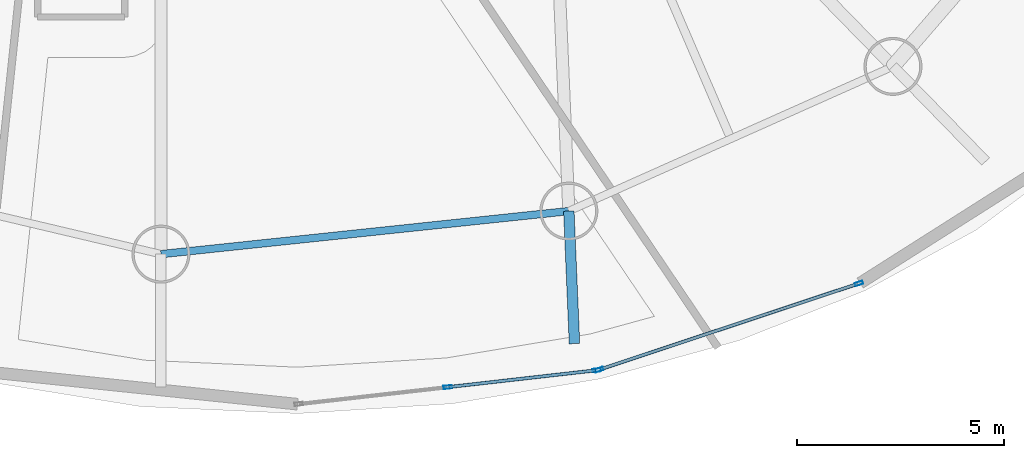
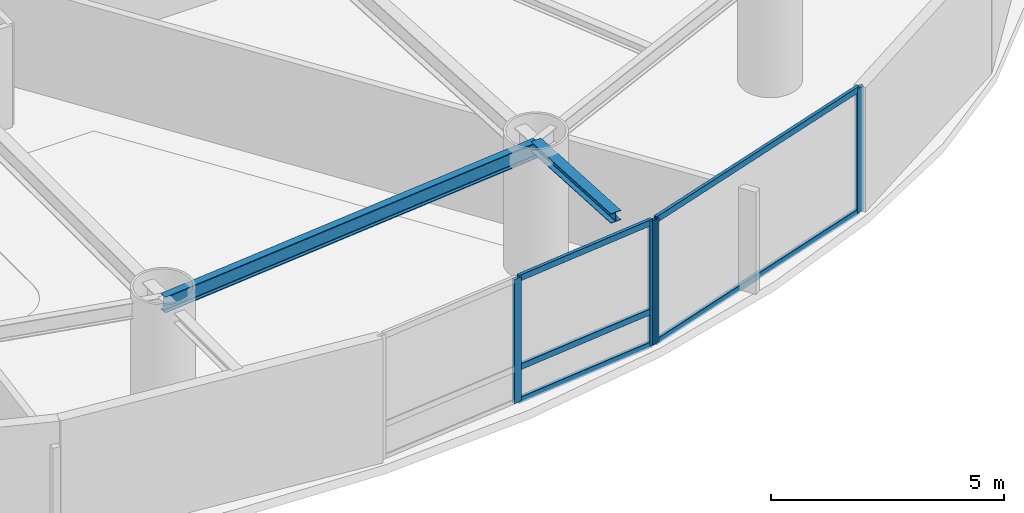
# One storey, part 7 of 22: 9 members, 2 beams, 2 elements without a shape of their own.
"""IFC4 building model written with IfcOpenShell, lengths in metres."""

from ifc_helpers import new_model, si_unit, direction, frame, origin, origin_2d, place, context, subcontext, project, spatial, hollow_rectangle, i_section, extrude, material, layer, layer_set, material_profile, profile_set, type_object, element, aggregate, save


model = new_model("IFC4")

# Units and contexts
model_context = context("Model", 3, precision=1e-05, world=origin(), true_north=direction((0.0, 1.0)))
body_context = subcontext(model_context, "Body", "Model", "MODEL_VIEW")
ifc_project = project(units=[si_unit("LENGTHUNIT", "METRE"), si_unit("AREAUNIT", "SQUARE_METRE"), si_unit("VOLUMEUNIT", "CUBIC_METRE"), si_unit("PLANEANGLEUNIT", "RADIAN"), si_unit("MASSUNIT", "GRAM", prefix="KILO")], contexts=[model_context])

# Site, building, storey
site_placement = place(None, origin())
site = spatial("IfcSite", under=ifc_project, at=site_placement, CompositionType="ELEMENT")
building_placement = place(site_placement, origin())
building = spatial("IfcBuilding", under=site, at=building_placement, Name="Bramvorn Convention Spire", CompositionType="ELEMENT")
storey_placement = place(building_placement, frame((0.0, 0.0, 141.300048828125)))
storey = spatial("IfcBuildingStorey", under=building, at=storey_placement, Name="L35", CompositionType="ELEMENT", Elevation=141.300048828125)

# Beams
ifc_material_1 = material(Name="Steel CSA G40.21 Grade 350 (350W)", Category="steel")
ifc_material_profile_1 = material_profile(ifc_material_1, i_section(OverallWidth=0.25390625, OverallDepth=0.2529296875, WebThickness=0.008544921875, FlangeThickness=0.01416015625, FilletRadius=0.011962890625, at=origin_2d()))
ifc_profile_set_1 = profile_set([ifc_material_profile_1], Name="Steel CSA G40.21 Grade 350 (350W) - W250X73")
beam_type_1 = type_object("IfcBeamType", Name="BM-W250X73", PredefinedType="BEAM", material=ifc_profile_set_1)
beam_1_placement = place(storey_placement, frame((49.76171875, 6.521240234375, 3.133544921875), z_axis=(0.042496892375, -0.999096599003, 0.0), x_axis=(0.999096599003, 0.042496892375, 0.0)))
element("IfcBeam", 1, at=beam_1_placement, inside=storey, type_object=beam_type_1, Name="L35 slab-edge cantilever tip beam MC15", PredefinedType="BEAM", context=body_context, shape_type="SweptSolid", body=[
    extrude(i_section(OverallWidth=0.25390625, OverallDepth=0.2529296875, WebThickness=0.008544921875, FlangeThickness=0.01416015625, FilletRadius=0.011962890625, at=origin_2d()), origin(), (0.0, 0.0, 1.0), 3.199951171875),
])
ifc_material_profile_2 = material_profile(ifc_material_1, i_section(OverallWidth=0.180908203125, OverallDepth=0.4169921875, WebThickness=0.010986328125, FlangeThickness=0.018310546875, FilletRadius=0.01611328125, at=origin_2d()))
ifc_profile_set_2 = profile_set([ifc_material_profile_2], Name="Steel CSA G40.21 Grade 350 (350W) - W410X85")
beam_type_2 = type_object("IfcBeamType", Name="BM-W410X85", PredefinedType="JOIST", material=ifc_profile_set_2)
beam_2_placement = place(storey_placement, frame((39.924072265625, 5.482666015625, 3.051513671875), z_axis=(0.994473491975, 0.104987969596, 0.0), x_axis=(-0.104987969596, 0.994473491975, 0.0)))
element("IfcBeam", 2, at=beam_2_placement, inside=storey, type_object=beam_type_2, Name="L35 mega-column ring beam 14", PredefinedType="JOIST", context=body_context, shape_type="SweptSolid", body=[
    extrude(i_section(OverallWidth=0.180908203125, OverallDepth=0.4169921875, WebThickness=0.010986328125, FlangeThickness=0.018310546875, FilletRadius=0.01611328125, at=origin_2d()), origin(), (0.0, 0.0, 1.0), 9.892333984375),
])

# Curtain wall, members
ifc_material_2 = material(Name="Anodised Bronze Unitised Curtain Wall", Category="aluminium")
ifc_layer = layer(ifc_material_2, 0.179931640625)
ifc_layer_set = layer_set([ifc_layer], Name="Anodised Bronze Unitised Curtain Wall - CW-HTL-FRIT")
curtain_wall_type = type_object("IfcCurtainWallType", Name="CW-HTL-FRIT", PredefinedType="USERDEFINED", material=ifc_layer_set)
curtain_wall_1_placement = place(storey_placement, origin())
curtain_wall_1 = element("IfcCurtainWall", 3, at=curtain_wall_1_placement, inside=storey, type_object=curtain_wall_type, Name="L35 fritted glass curtain wall 21", ObjectType="UNITISED CURTAIN WALL", PredefinedType="USERDEFINED")
ifc_material_3 = material(Name="Anodised Bronze Aluminium 6063-T6", Category="aluminium")
ifc_material_profile_3 = material_profile(ifc_material_3, hollow_rectangle(XDim=0.080078125, YDim=0.199951171875, WallThickness=0.00390625, InnerFilletRadius=0.0009765625, OuterFilletRadius=0.00390625, at=origin_2d()))
ifc_profile_set_3 = profile_set([ifc_material_profile_3], Name="Anodised Bronze Aluminium 6063-T6 - CWM80X200")
member_type_1 = type_object("IfcMemberType", Name="CW-MUL-180", PredefinedType="MULLION", material=ifc_profile_set_3)
member_1_placement = place(storey_placement, frame((50.43359375, 2.6826171875, 0.0), z_axis=(0.0, 0.0, 1.0), x_axis=(0.112783834557, -0.993619548249, 0.0)))
member_1 = element("IfcMember", 4, at=member_1_placement, type_object=member_type_1, Name="CW2 mullion 1", PredefinedType="MULLION", context=body_context, shape_type="SweptSolid", body=[
    extrude(hollow_rectangle(XDim=0.080078125, YDim=0.199951171875, WallThickness=0.00390625, InnerFilletRadius=0.0009765625, OuterFilletRadius=0.00390625, at=origin_2d()), origin(), (0.0, 0.0, 1.0), 3.260009765625),
])
member_2_placement = place(storey_placement, frame((46.8408203125, 2.27490234375, 0.0), z_axis=(0.0, 0.0, 1.0), x_axis=(0.112783834557, -0.993619548249, 0.0)))
member_2 = element("IfcMember", 5, at=member_2_placement, type_object=member_type_1, Name="CW2 mullion 2", PredefinedType="MULLION", context=body_context, shape_type="SweptSolid", body=[
    extrude(hollow_rectangle(XDim=0.080078125, YDim=0.199951171875, WallThickness=0.00390625, InnerFilletRadius=0.0009765625, OuterFilletRadius=0.00390625, at=origin_2d()), origin(), (0.0, 0.0, 1.0), 3.260009765625),
])

curtain_wall_2_placement = place(storey_placement, origin())
curtain_wall_2 = element("IfcCurtainWall", 6, at=curtain_wall_2_placement, inside=storey, type_object=curtain_wall_type, Name="L35 fritted glass curtain wall 22", ObjectType="UNITISED CURTAIN WALL", PredefinedType="USERDEFINED")
member_3_placement = place(storey_placement, frame((56.7607421875, 4.7763671875, 0.0), z_axis=(0.0, 0.0, 1.0), x_axis=(0.315030228269, -0.949081637836, 0.0)))
member_3 = element("IfcMember", 7, at=member_3_placement, type_object=member_type_1, Name="CW2 mullion 1", PredefinedType="MULLION", context=body_context, shape_type="SweptSolid", body=[
    extrude(hollow_rectangle(XDim=0.080078125, YDim=0.199951171875, WallThickness=0.00390625, InnerFilletRadius=0.0009765625, OuterFilletRadius=0.00390625, at=origin_2d()), origin(), (0.0, 0.0, 1.0), 3.260009765625),
])
member_4_placement = place(storey_placement, frame((50.491943359375, 2.695556640625, 0.0), z_axis=(0.0, 0.0, 1.0), x_axis=(0.315030228269, -0.949081637836, 0.0)))
member_4 = element("IfcMember", 8, at=member_4_placement, type_object=member_type_1, Name="CW2 mullion 2", PredefinedType="MULLION", context=body_context, shape_type="SweptSolid", body=[
    extrude(hollow_rectangle(XDim=0.080078125, YDim=0.199951171875, WallThickness=0.00390625, InnerFilletRadius=0.0009765625, OuterFilletRadius=0.00390625, at=origin_2d()), origin(), (0.0, 0.0, 1.0), 3.260009765625),
])

# Member
ifc_material_profile_4 = material_profile(ifc_material_3, hollow_rectangle(XDim=0.080078125, YDim=0.159912109375, WallThickness=0.00390625, InnerFilletRadius=0.0009765625, OuterFilletRadius=0.00390625, at=origin_2d()))
ifc_profile_set_4 = profile_set([ifc_material_profile_4], Name="Anodised Bronze Aluminium 6063-T6 - CWT80X160")
member_type_2 = type_object("IfcMemberType", Name="CW-TRN-150", PredefinedType="USERDEFINED", material=ifc_profile_set_4)
member_5_placement = place(storey_placement, frame((50.40380859375, 2.67919921875, 0.030029296875), z_axis=(-0.993617153238, -0.112804932474, 0.0), x_axis=(0.112804932474, -0.993617153238, 0.0)))
member_5 = element("IfcMember", 9, at=member_5_placement, type_object=member_type_2, Name="CW2 transom 1.1", ObjectType="TRANSOM", PredefinedType="USERDEFINED", context=body_context, shape_type="SweptSolid", body=[
    extrude(hollow_rectangle(XDim=0.080078125, YDim=0.159912109375, WallThickness=0.00390625, InnerFilletRadius=0.0009765625, OuterFilletRadius=0.00390625, at=origin_2d()), origin(), (0.0, 0.0, 1.0), 3.555908203125),
])

member_6_placement = place(storey_placement, frame((50.40380859375, 2.67919921875, 0.89990234375), z_axis=(-0.993617153238, -0.112804932474, 0.0), x_axis=(0.112804932474, -0.993617153238, 0.0)))
member_6 = element("IfcMember", 10, at=member_6_placement, type_object=member_type_2, Name="CW2 transom 1.2", ObjectType="TRANSOM", PredefinedType="USERDEFINED", context=body_context, shape_type="SweptSolid", body=[
    extrude(hollow_rectangle(XDim=0.080078125, YDim=0.159912109375, WallThickness=0.00390625, InnerFilletRadius=0.0009765625, OuterFilletRadius=0.00390625, at=origin_2d()), origin(), (0.0, 0.0, 1.0), 3.555908203125),
])

member_7_placement = place(storey_placement, frame((50.40380859375, 2.67919921875, 3.22998046875), z_axis=(-0.993617153238, -0.112804932474, 0.0), x_axis=(0.112804932474, -0.993617153238, 0.0)))
member_7 = element("IfcMember", 11, at=member_7_placement, type_object=member_type_2, Name="CW2 transom 1.3", ObjectType="TRANSOM", PredefinedType="USERDEFINED", context=body_context, shape_type="SweptSolid", body=[
    extrude(hollow_rectangle(XDim=0.080078125, YDim=0.159912109375, WallThickness=0.00390625, InnerFilletRadius=0.0009765625, OuterFilletRadius=0.00390625, at=origin_2d()), origin(), (0.0, 0.0, 1.0), 3.555908203125),
])

aggregate(curtain_wall_1, [member_1, member_2, member_5, member_6, member_7])

member_8_placement = place(storey_placement, frame((56.732177734375, 4.766845703125, 0.030029296875), z_axis=(-0.949077943483, -0.31504135791, 0.0), x_axis=(0.31504135791, -0.949077943483, 0.0)))
member_8 = element("IfcMember", 12, at=member_8_placement, type_object=member_type_2, Name="CW2 transom 1.1", ObjectType="TRANSOM", PredefinedType="USERDEFINED", context=body_context, shape_type="SweptSolid", body=[
    extrude(hollow_rectangle(XDim=0.080078125, YDim=0.159912109375, WallThickness=0.00390625, InnerFilletRadius=0.0009765625, OuterFilletRadius=0.00390625, at=origin_2d()), origin(), (0.0, 0.0, 1.0), 6.545166015625),
])

member_9_placement = place(storey_placement, frame((56.732177734375, 4.766845703125, 3.22998046875), z_axis=(-0.949077943483, -0.31504135791, 0.0), x_axis=(0.31504135791, -0.949077943483, 0.0)))
member_9 = element("IfcMember", 13, at=member_9_placement, type_object=member_type_2, Name="CW2 transom 1.2", ObjectType="TRANSOM", PredefinedType="USERDEFINED", context=body_context, shape_type="SweptSolid", body=[
    extrude(hollow_rectangle(XDim=0.080078125, YDim=0.159912109375, WallThickness=0.00390625, InnerFilletRadius=0.0009765625, OuterFilletRadius=0.00390625, at=origin_2d()), origin(), (0.0, 0.0, 1.0), 6.545166015625),
])

aggregate(curtain_wall_2, [member_3, member_4, member_8, member_9])

save(model, "model.ifc")
